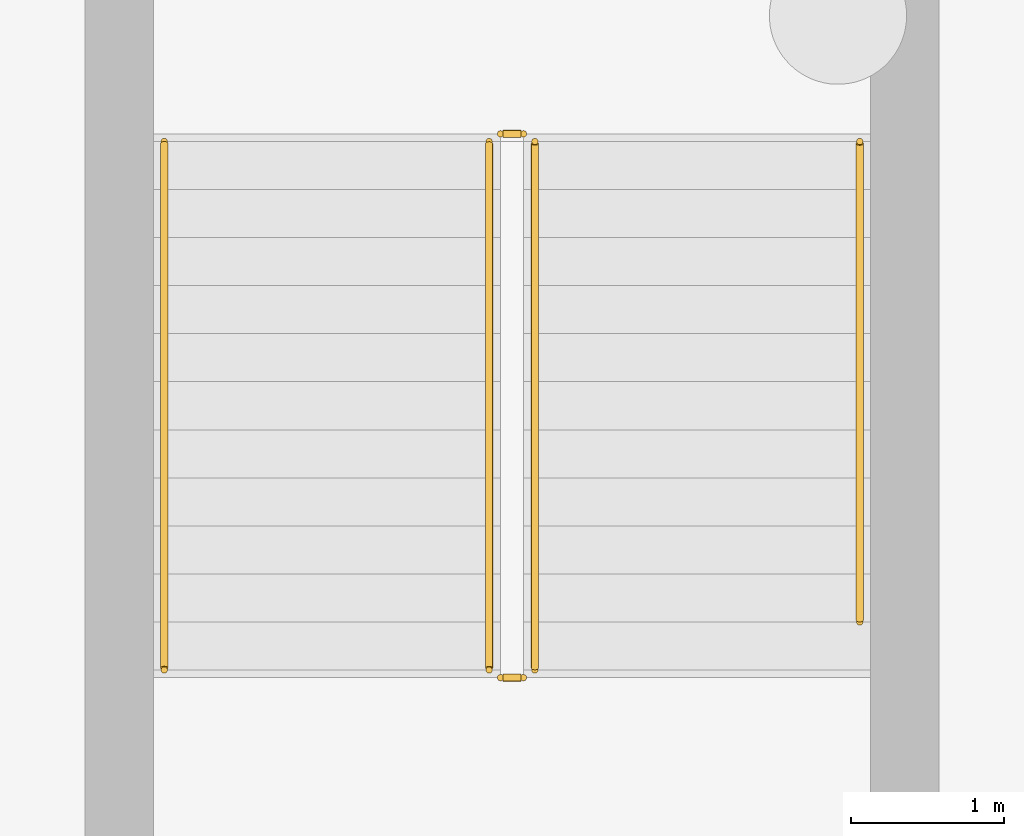
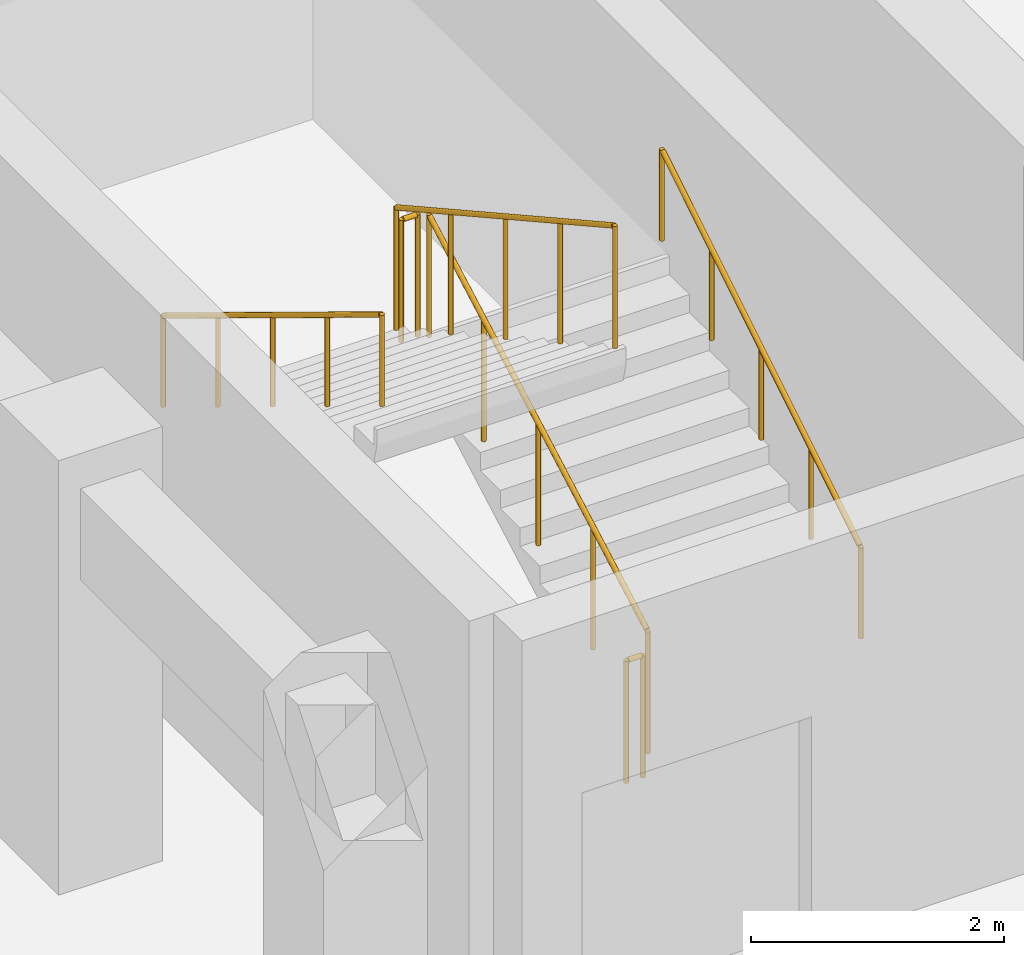
# One storey, part 33 of 39: 6 railings.
"""IFC4 building model written with IfcOpenShell, lengths in metres."""

from ifc_helpers import new_model, si_unit, direction, frame, origin, origin_2d, place, context, subcontext, project, spatial, circle, extrude, material, type_object, element, save


model = new_model("IFC4")

# Units and contexts
model_context = context("Model", 3, precision=1e-05, world=origin(), true_north=direction((0.0, 1.0)))
body_context = subcontext(model_context, "Body", "Model", "MODEL_VIEW")
ifc_project = project(units=[si_unit("LENGTHUNIT", "METRE"), si_unit("AREAUNIT", "SQUARE_METRE"), si_unit("VOLUMEUNIT", "CUBIC_METRE"), si_unit("PLANEANGLEUNIT", "RADIAN"), si_unit("MASSUNIT", "GRAM", prefix="KILO")], contexts=[model_context])

# Site, building, storey
site_placement = place(None, origin())
site = spatial("IfcSite", under=ifc_project, at=site_placement, CompositionType="ELEMENT")
building_placement = place(site_placement, origin())
building = spatial("IfcBuilding", under=site, at=building_placement, Name="Nakhvara Creek Congress Hotel", CompositionType="ELEMENT")
storey_placement = place(building_placement, frame((0.0, 0.0, -8.39990234375)))
storey = spatial("IfcBuildingStorey", under=building, at=storey_placement, Name="B2", CompositionType="ELEMENT", Elevation=-8.39990234375)

# Railings
ifc_material = material(Name="Brushed stainless steel 316L", Category="steel")
railing_type_1 = type_object("IfcRailingType", Name="RL-GUARD-1200", PredefinedType="GUARDRAIL", material=ifc_material)
railing_1_placement = place(storey_placement, frame((52.875, 115.080078125, 0.1748046875)))
element("IfcRailing", 1, at=railing_1_placement, inside=storey, type_object=railing_type_1, Name="B2 ST08 stair guard 1", PredefinedType="GUARDRAIL", context=body_context, shape_type="SweptSolid", body=[
    extrude(circle(Radius=0.02392578125, at=origin_2d()), frame((0.0, 0.012939453125, 1.18310546875), z_axis=(0.0, 0.874142748832, 0.485669079379), x_axis=(-1.0, 0.0, 0.0)), (0.0, 0.0, 1.0), 3.934326171875),
    extrude(circle(Radius=0.02099609375, at=origin_2d()), origin(), (0.0, 0.0, 1.0), 1.1806640625),
    extrude(circle(Radius=0.02099609375, at=origin_2d()), frame((0.0, 0.8662109375, 0.481201171875)), (0.0, 0.0, 1.0), 1.1806640625),
    extrude(circle(Radius=0.02099609375, at=origin_2d()), frame((0.0, 1.732421875, 0.96240234375)), (0.0, 0.0, 1.0), 1.1806640625),
    extrude(circle(Radius=0.02099609375, at=origin_2d()), frame((0.0, 2.5986328125, 1.44384765625)), (0.0, 0.0, 1.0), 1.1806640625),
    extrude(circle(Radius=0.02099609375, at=origin_2d()), frame((0.0, 3.46484375, 1.925048828125)), (0.0, 0.0, 1.0), 1.1806640625),
])
railing_2_placement = place(storey_placement, frame((52.800048828125, 118.594970703125, 2.099853515625)))
element("IfcRailing", 2, at=railing_2_placement, inside=storey, type_object=railing_type_1, Name="B2 ST08 stair guard 2", PredefinedType="GUARDRAIL", context=body_context, shape_type="SweptSolid", body=[
    extrude(circle(Radius=0.02392578125, at=origin_2d()), frame((-0.0146484375, 0.0, 1.17578125), z_axis=(-1.0, 0.0, 0.0), x_axis=(0.0, -1.0, 0.0)), (0.0, 0.0, 1.0), 0.120849609375),
    extrude(circle(Radius=0.02099609375, at=origin_2d()), origin(), (0.0, 0.0, 1.0), 1.1806640625),
    extrude(circle(Radius=0.02099609375, at=origin_2d()), frame((-0.150146484375, 0.0, 0.0)), (0.0, 0.0, 1.0), 1.1806640625),
])
railing_3_placement = place(storey_placement, frame((52.574951171875, 118.544921875, 2.27490234375)))
element("IfcRailing", 3, at=railing_3_placement, inside=storey, type_object=railing_type_1, Name="B2 ST08 stair guard 3", PredefinedType="GUARDRAIL", context=body_context, shape_type="SweptSolid", body=[
    extrude(circle(Radius=0.02392578125, at=origin_2d()), frame((0.0, -0.012939453125, 1.18310546875), z_axis=(0.0, -0.874142748832, 0.485669079379), x_axis=(1.0, 0.0, 0.0)), (0.0, 0.0, 1.0), 3.934326171875),
    extrude(circle(Radius=0.02099609375, at=origin_2d()), origin(), (0.0, 0.0, 1.0), 1.1806640625),
    extrude(circle(Radius=0.02099609375, at=origin_2d()), frame((0.0, -0.8662109375, 0.481201171875)), (0.0, 0.0, 1.0), 1.1806640625),
    extrude(circle(Radius=0.02099609375, at=origin_2d()), frame((0.0, -1.732421875, 0.96240234375)), (0.0, 0.0, 1.0), 1.1806640625),
    extrude(circle(Radius=0.02099609375, at=origin_2d()), frame((0.0, -2.5986328125, 1.44384765625)), (0.0, 0.0, 1.0), 1.1806640625),
    extrude(circle(Radius=0.02099609375, at=origin_2d()), frame((0.0, -3.46484375, 1.925048828125)), (0.0, 0.0, 1.0), 1.1806640625),
])
railing_4_placement = place(storey_placement, frame((52.800048828125, 115.030029296875, 0.0)))
element("IfcRailing", 4, at=railing_4_placement, inside=storey, type_object=railing_type_1, Name="B2 ST08 stair guard 4", PredefinedType="GUARDRAIL", context=body_context, shape_type="SweptSolid", body=[
    extrude(circle(Radius=0.02392578125, at=origin_2d()), frame((-0.0146484375, 0.0, 1.17578125), z_axis=(-1.0, 0.0, 0.0), x_axis=(0.0, -1.0, 0.0)), (0.0, 0.0, 1.0), 0.120849609375),
    extrude(circle(Radius=0.02099609375, at=origin_2d()), origin(), (0.0, 0.0, 1.0), 1.1806640625),
    extrude(circle(Radius=0.02099609375, at=origin_2d()), frame((-0.150146484375, 0.0, 0.0)), (0.0, 0.0, 1.0), 1.1806640625),
])
railing_type_2 = type_object("IfcRailingType", Name="RL-HAND-900", PredefinedType="HANDRAIL", material=ifc_material)
railing_5_placement = place(storey_placement, frame((55.0048828125, 115.39501953125, 0.349853515625)))
element("IfcRailing", 5, at=railing_5_placement, inside=storey, type_object=railing_type_2, Name="B2 ST08 stair handrail 1", PredefinedType="HANDRAIL", context=body_context, shape_type="SweptSolid", body=[
    extrude(circle(Radius=0.02392578125, at=origin_2d()), frame((0.0, 0.012451171875, 0.883544921875), z_axis=(0.0, 0.85194385619, 0.523633140567), x_axis=(-1.0, 0.0, 0.0)), (0.0, 0.0, 1.0), 3.66796875),
    extrude(circle(Radius=0.02099609375, at=origin_2d()), origin(), (0.0, 0.0, 1.0), 0.880615234375),
    extrude(circle(Radius=0.02099609375, at=origin_2d()), frame((0.0, 0.78759765625, 0.48388671875)), (0.0, 0.0, 1.0), 0.880615234375),
    extrude(circle(Radius=0.02099609375, at=origin_2d()), frame((0.0, 1.574951171875, 0.968017578125)), (0.0, 0.0, 1.0), 0.880615234375),
    extrude(circle(Radius=0.02099609375, at=origin_2d()), frame((0.0, 2.3623046875, 1.4521484375)), (0.0, 0.0, 1.0), 0.880615234375),
    extrude(circle(Radius=0.02099609375, at=origin_2d()), frame((0.0, 3.14990234375, 1.93603515625)), (0.0, 0.0, 1.0), 0.880615234375),
])
railing_6_placement = place(storey_placement, frame((50.445068359375, 118.544921875, 2.27490234375)))
element("IfcRailing", 6, at=railing_6_placement, inside=storey, type_object=railing_type_2, Name="B2 ST08 stair handrail 2", PredefinedType="HANDRAIL", context=body_context, shape_type="SweptSolid", body=[
    extrude(circle(Radius=0.02392578125, at=origin_2d()), frame((0.0, -0.012451171875, 0.883544921875), z_axis=(0.0, -0.853974217878, 0.520315322857), x_axis=(1.0, 0.0, 0.0)), (0.0, 0.0, 1.0), 4.02783203125),
    extrude(circle(Radius=0.02099609375, at=origin_2d()), origin(), (0.0, 0.0, 1.0), 0.880615234375),
    extrude(circle(Radius=0.02099609375, at=origin_2d()), frame((0.0, -0.8662109375, 0.52783203125)), (0.0, 0.0, 1.0), 0.880615234375),
    extrude(circle(Radius=0.02099609375, at=origin_2d()), frame((0.0, -1.732421875, 1.0556640625)), (0.0, 0.0, 1.0), 0.880615234375),
    extrude(circle(Radius=0.02099609375, at=origin_2d()), frame((0.0, -2.5986328125, 1.583251953125)), (0.0, 0.0, 1.0), 0.880615234375),
    extrude(circle(Radius=0.02099609375, at=origin_2d()), frame((0.0, -3.46484375, 2.111083984375)), (0.0, 0.0, 1.0), 0.880615234375),
])

save(model, "model.ifc")
